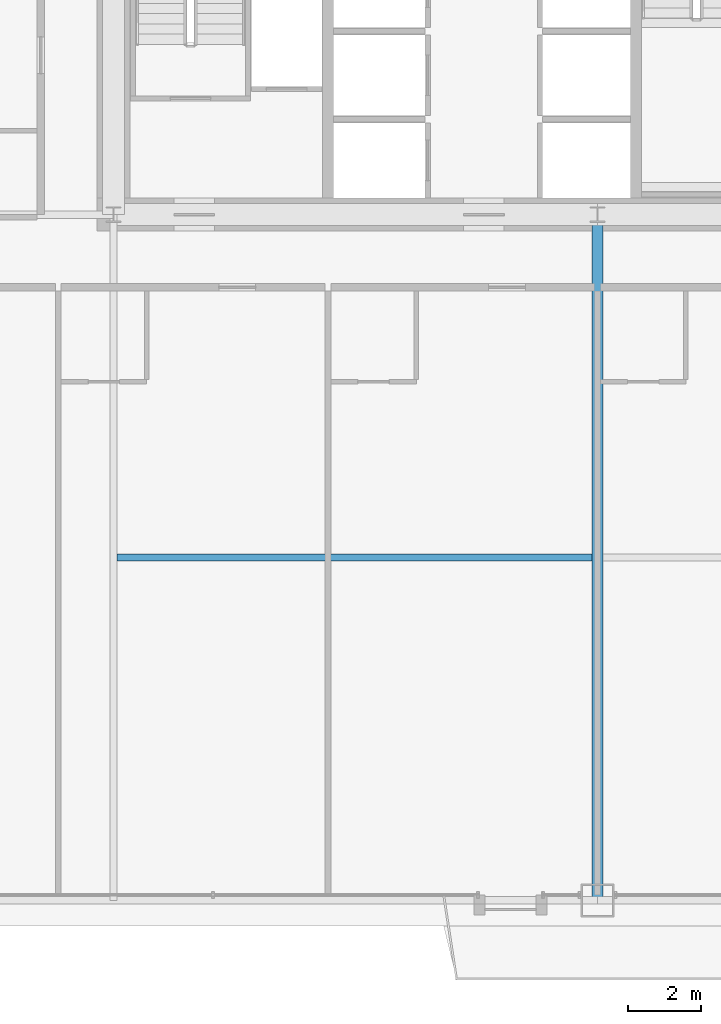
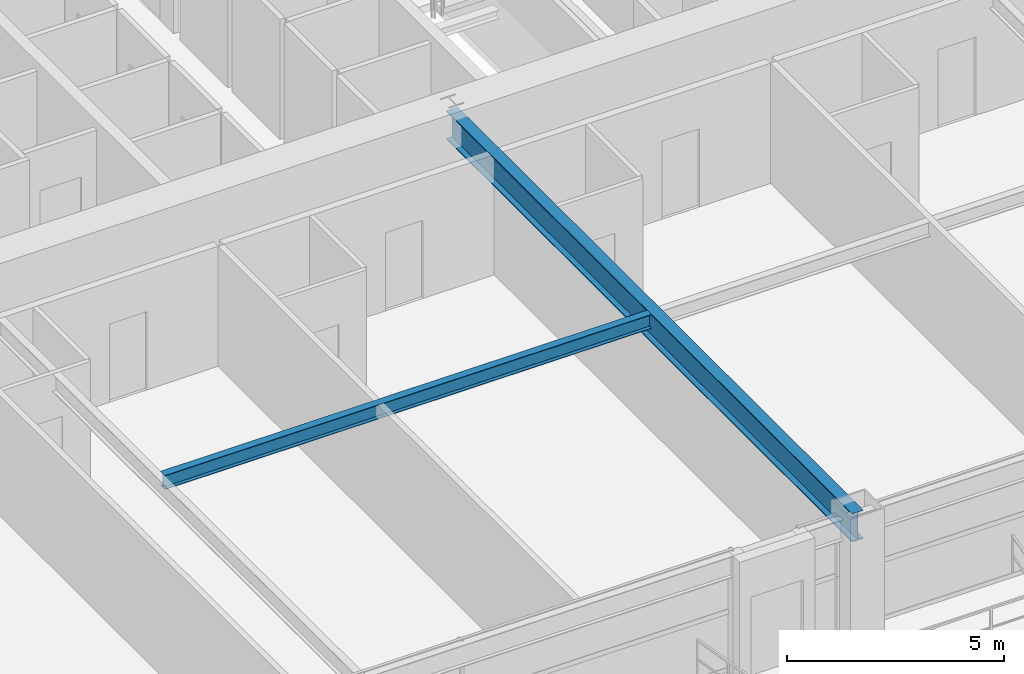
# One storey, part 9 of 45: 2 beams.
"""IFC4 building model written with IfcOpenShell, lengths in metres."""

from ifc_helpers import new_model, si_unit, direction, frame, origin, origin_2d, place, context, subcontext, project, spatial, i_section, extrude, source, transform, mapped, material, material_profile, profile_set, type_object, element, save


model = new_model("IFC4")

# Units and contexts
model_context = context("Model", 3, precision=1e-05, world=origin(), true_north=direction((0.0, 1.0)))
body_context = subcontext(model_context, "Body", "Model", "MODEL_VIEW")
ifc_project = project(units=[si_unit("LENGTHUNIT", "METRE"), si_unit("AREAUNIT", "SQUARE_METRE"), si_unit("VOLUMEUNIT", "CUBIC_METRE"), si_unit("PLANEANGLEUNIT", "RADIAN"), si_unit("MASSUNIT", "GRAM", prefix="KILO"), si_unit("THERMODYNAMICTEMPERATUREUNIT", "KELVIN"), si_unit("POWERUNIT", "WATT")], contexts=[model_context])

# Site, building, storey
site_placement = place(None, origin())
site = spatial("IfcSite", under=ifc_project, at=site_placement, CompositionType="ELEMENT")
building_placement = place(site_placement, origin())
building = spatial("IfcBuilding", under=site, at=building_placement, Name="Yuzanri Waterfront Tower", CompositionType="ELEMENT")
storey_placement = place(building_placement, frame((0.0, 0.0, 34.199951171875)))
storey = spatial("IfcBuildingStorey", under=building, at=storey_placement, Name="L08", CompositionType="ELEMENT", Elevation=34.199951171875)

# Beams
ifc_material_1 = material(Name="Steel Q355B", Category="steel")
ifc_material_profile_1 = material_profile(ifc_material_1, i_section(OverallWidth=0.300048828125, OverallDepth=0.800048828125, WebThickness=0.013916015625, FlangeThickness=0.02587890625, at=origin_2d()), Name="HN 800x300x14x26")
ifc_profile_set_1 = profile_set([ifc_material_profile_1], Name="Steel Q355B")
beam_type_1 = type_object("IfcBeamType", Name="Primary Floor Girder Q355B HN 800x300", PredefinedType="BEAM", material=ifc_profile_set_1)
shared_shape_1 = source(origin(), body_context, "Body", "SweptSolid", [
    extrude(i_section(OverallWidth=0.300048828125, OverallDepth=0.800048828125, WebThickness=0.013916015625, FlangeThickness=0.02587890625, at=origin_2d()), origin(), (0.0, 0.0, 1.0), 18.699951171875),
])
beam_1_placement = place(storey_placement, frame((37.0, 19.39990234375, 2.97998046875), z_axis=(0.0, -1.0, 0.0), x_axis=(1.0, 0.0, 0.0)))
element("IfcBeam", 1, at=beam_1_placement, inside=storey, type_object=beam_type_1, Name="L08 South Grid Girder", PredefinedType="BEAM", context=body_context, shape_type="MappedRepresentation", body=[
    mapped(shared_shape_1, transform((0.0, 0.0, 0.0), scale=1.0)),
])
ifc_material_2 = material(Name="Steel Q355B", Category="steel")
ifc_material_profile_2 = material_profile(ifc_material_2, i_section(OverallWidth=0.199951171875, OverallDepth=0.39990234375, WebThickness=0.008056640625, FlangeThickness=0.012939453125, at=origin_2d()), Name="HN 400x200x8x13")
ifc_profile_set_2 = profile_set([ifc_material_profile_2], Name="Steel Q355B")
beam_type_2 = type_object("IfcBeamType", Name="Floor Joist Q355B HN 400x200", PredefinedType="JOIST", material=ifc_profile_set_2)
shared_shape_2 = source(origin(), body_context, "Body", "SweptSolid", [
    extrude(i_section(OverallWidth=0.199951171875, OverallDepth=0.39990234375, WebThickness=0.008056640625, FlangeThickness=0.012939453125, at=origin_2d()), origin(), (0.0, 0.0, 1.0), 12.9501953125),
])
beam_2_placement = place(storey_placement, frame((23.89990234375, 10.050048828125, 3.179931640625), z_axis=(1.0, 0.0, 0.0), x_axis=(0.0, 1.0, 0.0)))
element("IfcBeam", 2, at=beam_2_placement, inside=storey, type_object=beam_type_2, Name="L08 South Bay Joist W", PredefinedType="JOIST", context=body_context, shape_type="MappedRepresentation", body=[
    mapped(shared_shape_2, transform((0.0, 0.0, 0.0), scale=1.0)),
])

save(model, "model.ifc")
